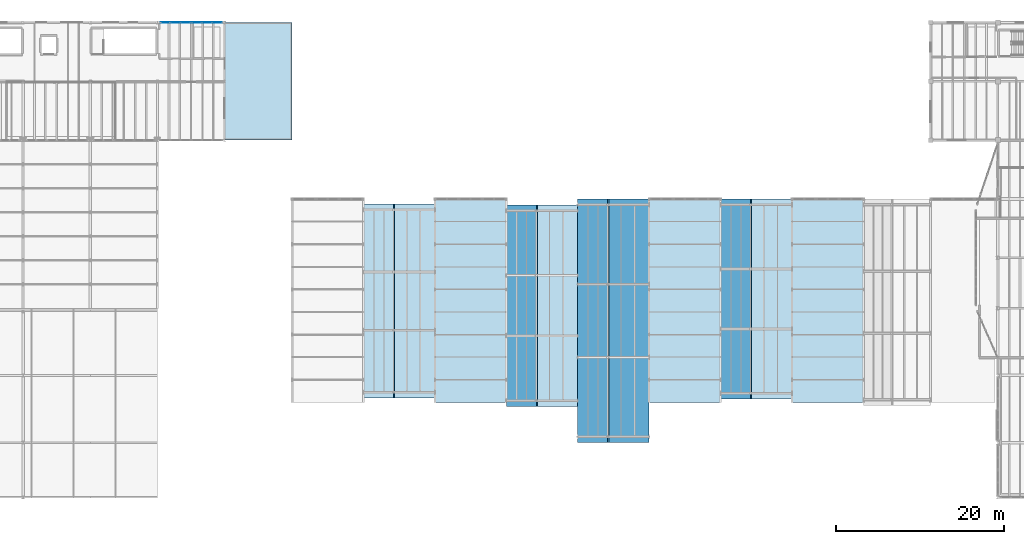
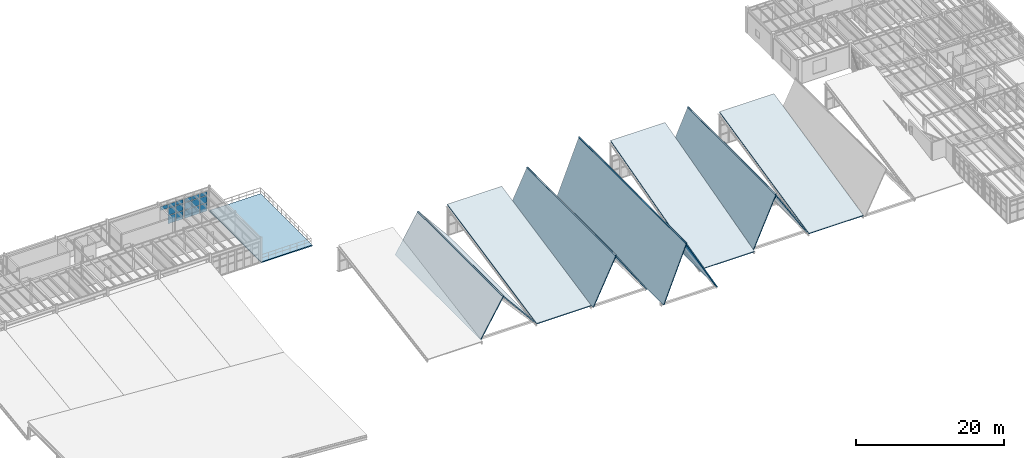
# One storey, part 49 of 77: 16 plates, 12 slabs, 9 elements without a shape of their own.
"""IFC4 building model written with IfcOpenShell, lengths in metres."""

from ifc_helpers import new_model, si_unit, direction, frame, origin, origin_2d, place, context, subcontext, project, spatial, polyline, rectangle, outline, extrude, material, layer, layer_set, type_object, element, aggregate, save


model = new_model("IFC4")

# Units and contexts
model_context = context("Model", 3, precision=1e-05, world=origin(), true_north=direction((0.0, 1.0)))
body_context = subcontext(model_context, "Body", "Model", "MODEL_VIEW")
ifc_project = project(units=[si_unit("LENGTHUNIT", "METRE"), si_unit("AREAUNIT", "SQUARE_METRE"), si_unit("VOLUMEUNIT", "CUBIC_METRE"), si_unit("PLANEANGLEUNIT", "RADIAN"), si_unit("MASSUNIT", "GRAM", prefix="KILO"), si_unit("THERMODYNAMICTEMPERATUREUNIT", "KELVIN"), si_unit("POWERUNIT", "WATT")], contexts=[model_context])

# Site, building, storey
site_placement = place(None, origin())
site = spatial("IfcSite", under=ifc_project, at=site_placement, CompositionType="ELEMENT")
building_placement = place(site_placement, origin())
building = spatial("IfcBuilding", under=site, at=building_placement, Name="Zhenchuan Central Fire Station", CompositionType="ELEMENT")
storey_placement = place(building_placement, frame((0.0, 0.0, 10.050048828125)))
storey = spatial("IfcBuildingStorey", under=building, at=storey_placement, Name="L03", CompositionType="ELEMENT", Elevation=10.050048828125)

# Curtain wall, plates
ifc_material_1 = material(Name="Anodised aluminium and low-E glazing", Category="aluminium")
curtain_wall_type_1 = type_object("IfcCurtainWallType", Name="CW-MOD-01", PredefinedType="USERDEFINED", material=ifc_material_1)
curtain_wall_1_placement = place(storey_placement, origin())
curtain_wall_1 = element("IfcCurtainWall", 1, at=curtain_wall_1_placement, inside=storey, type_object=curtain_wall_type_1, Name="L03 Unitised Curtain Wall 068", ObjectType="UNITISED GLAZING", PredefinedType="USERDEFINED")
ifc_material_2 = material(Name="Laminated low-E double glazing", Category="glass")
ifc_layer_1 = layer(ifc_material_2, 0.011962890625, Name="Laminated low-E double glazing", Category="glass")
ifc_layer_set_1 = layer_set([ifc_layer_1], Name="Laminated low-E double glazing")
plate_type = type_object("IfcPlateType", Name="CW-PNL12", PredefinedType="CURTAIN_PANEL", material=ifc_layer_set_1)
plate_1_placement = place(storey_placement, frame((40.926513671875, 56.5, 2.6640625), z_axis=(0.0, 0.0, 1.0), x_axis=(1.0, 0.0, 0.0)))
plate_1 = element("IfcPlate", 2, at=plate_1_placement, type_object=plate_type, Name="CW-01 panel 1.3", PredefinedType="CURTAIN_PANEL", context=body_context, shape_type="SweptSolid", body=[
    extrude(rectangle(XDim=1.123046875, YDim=0.011962890625, at=origin_2d()), origin(), (0.0, 0.0, 1.0), 0.644775390625),
])
plate_2_placement = place(storey_placement, frame((42.131103515625, 56.5, 0.06103515625), z_axis=(0.0, 0.0, 1.0), x_axis=(1.0, 0.0, 0.0)))
plate_2 = element("IfcPlate", 3, at=plate_2_placement, type_object=plate_type, Name="CW-01 panel 2.1", PredefinedType="CURTAIN_PANEL", context=body_context, shape_type="SweptSolid", body=[
    extrude(rectangle(XDim=1.15576171875, YDim=0.011962890625, at=origin_2d()), origin(), (0.0, 0.0, 1.0), 1.323486328125),
])
plate_3_placement = place(storey_placement, frame((42.131103515625, 56.5, 1.44970703125), z_axis=(0.0, 0.0, 1.0), x_axis=(1.0, 0.0, 0.0)))
plate_3 = element("IfcPlate", 4, at=plate_3_placement, type_object=plate_type, Name="CW-01 panel 2.2", PredefinedType="CURTAIN_PANEL", context=body_context, shape_type="SweptSolid", body=[
    extrude(rectangle(XDim=1.15576171875, YDim=0.011962890625, at=origin_2d()), origin(), (0.0, 0.0, 1.0), 1.149658203125),
])
plate_4_placement = place(storey_placement, frame((42.131103515625, 56.5, 2.6640625), z_axis=(0.0, 0.0, 1.0), x_axis=(1.0, 0.0, 0.0)))
plate_4 = element("IfcPlate", 5, at=plate_4_placement, type_object=plate_type, Name="CW-01 panel 2.3", PredefinedType="CURTAIN_PANEL", context=body_context, shape_type="SweptSolid", body=[
    extrude(rectangle(XDim=1.15576171875, YDim=0.011962890625, at=origin_2d()), origin(), (0.0, 0.0, 1.0), 0.644775390625),
])
plate_5_placement = place(storey_placement, frame((43.33544921875, 56.5, 0.06103515625), z_axis=(0.0, 0.0, 1.0), x_axis=(1.0, 0.0, 0.0)))
plate_5 = element("IfcPlate", 6, at=plate_5_placement, type_object=plate_type, Name="CW-01 panel 3.1", PredefinedType="CURTAIN_PANEL", context=body_context, shape_type="SweptSolid", body=[
    extrude(rectangle(XDim=1.123046875, YDim=0.011962890625, at=origin_2d()), origin(), (0.0, 0.0, 1.0), 1.323486328125),
])
plate_6_placement = place(storey_placement, frame((43.33544921875, 56.5, 1.44970703125), z_axis=(0.0, 0.0, 1.0), x_axis=(1.0, 0.0, 0.0)))
plate_6 = element("IfcPlate", 7, at=plate_6_placement, type_object=plate_type, Name="CW-01 panel 3.2", PredefinedType="CURTAIN_PANEL", context=body_context, shape_type="SweptSolid", body=[
    extrude(rectangle(XDim=1.123046875, YDim=0.011962890625, at=origin_2d()), origin(), (0.0, 0.0, 1.0), 1.149658203125),
])
plate_7_placement = place(storey_placement, frame((43.33544921875, 56.5, 2.6640625), z_axis=(0.0, 0.0, 1.0), x_axis=(1.0, 0.0, 0.0)))
plate_7 = element("IfcPlate", 8, at=plate_7_placement, type_object=plate_type, Name="CW-01 panel 3.3", PredefinedType="CURTAIN_PANEL", context=body_context, shape_type="SweptSolid", body=[
    extrude(rectangle(XDim=1.123046875, YDim=0.011962890625, at=origin_2d()), origin(), (0.0, 0.0, 1.0), 0.644775390625),
])
aggregate(curtain_wall_1, [plate_1, plate_2, plate_3, plate_4, plate_5, plate_6, plate_7])

curtain_wall_type_2 = type_object("IfcCurtainWallType", Name="CW-MOD-02", PredefinedType="USERDEFINED", material=ifc_material_1)
curtain_wall_2_placement = place(storey_placement, origin())
curtain_wall_2 = element("IfcCurtainWall", 9, at=curtain_wall_2_placement, inside=storey, type_object=curtain_wall_type_2, Name="L03 Unitised Curtain Wall 069", ObjectType="UNITISED GLAZING", PredefinedType="USERDEFINED")
plate_8_placement = place(storey_placement, frame((44.66455078125, 56.5, 0.06103515625), z_axis=(0.0, 0.0, 1.0), x_axis=(1.0, 0.0, 0.0)))
plate_8 = element("IfcPlate", 10, at=plate_8_placement, type_object=plate_type, Name="CW-02 panel 1.1", PredefinedType="CURTAIN_PANEL", context=body_context, shape_type="SweptSolid", body=[
    extrude(rectangle(XDim=1.123046875, YDim=0.011962890625, at=origin_2d()), origin(), (0.0, 0.0, 1.0), 1.323486328125),
])
plate_9_placement = place(storey_placement, frame((44.66455078125, 56.5, 1.44970703125), z_axis=(0.0, 0.0, 1.0), x_axis=(1.0, 0.0, 0.0)))
plate_9 = element("IfcPlate", 11, at=plate_9_placement, type_object=plate_type, Name="CW-02 panel 1.2", PredefinedType="CURTAIN_PANEL", context=body_context, shape_type="SweptSolid", body=[
    extrude(rectangle(XDim=1.123046875, YDim=0.011962890625, at=origin_2d()), origin(), (0.0, 0.0, 1.0), 1.149658203125),
])
plate_10_placement = place(storey_placement, frame((44.66455078125, 56.5, 2.6640625), z_axis=(0.0, 0.0, 1.0), x_axis=(1.0, 0.0, 0.0)))
plate_10 = element("IfcPlate", 12, at=plate_10_placement, type_object=plate_type, Name="CW-02 panel 1.3", PredefinedType="CURTAIN_PANEL", context=body_context, shape_type="SweptSolid", body=[
    extrude(rectangle(XDim=1.123046875, YDim=0.011962890625, at=origin_2d()), origin(), (0.0, 0.0, 1.0), 0.644775390625),
])
plate_11_placement = place(storey_placement, frame((45.868896484375, 56.5, 0.06103515625), z_axis=(0.0, 0.0, 1.0), x_axis=(1.0, 0.0, 0.0)))
plate_11 = element("IfcPlate", 13, at=plate_11_placement, type_object=plate_type, Name="CW-02 panel 2.1", PredefinedType="CURTAIN_PANEL", context=body_context, shape_type="SweptSolid", body=[
    extrude(rectangle(XDim=1.15576171875, YDim=0.011962890625, at=origin_2d()), origin(), (0.0, 0.0, 1.0), 1.323486328125),
])
plate_12_placement = place(storey_placement, frame((45.868896484375, 56.5, 1.44970703125), z_axis=(0.0, 0.0, 1.0), x_axis=(1.0, 0.0, 0.0)))
plate_12 = element("IfcPlate", 14, at=plate_12_placement, type_object=plate_type, Name="CW-02 panel 2.2", PredefinedType="CURTAIN_PANEL", context=body_context, shape_type="SweptSolid", body=[
    extrude(rectangle(XDim=1.15576171875, YDim=0.011962890625, at=origin_2d()), origin(), (0.0, 0.0, 1.0), 1.149658203125),
])
plate_13_placement = place(storey_placement, frame((45.868896484375, 56.5, 2.6640625), z_axis=(0.0, 0.0, 1.0), x_axis=(1.0, 0.0, 0.0)))
plate_13 = element("IfcPlate", 15, at=plate_13_placement, type_object=plate_type, Name="CW-02 panel 2.3", PredefinedType="CURTAIN_PANEL", context=body_context, shape_type="SweptSolid", body=[
    extrude(rectangle(XDim=1.15576171875, YDim=0.011962890625, at=origin_2d()), origin(), (0.0, 0.0, 1.0), 0.644775390625),
])
plate_14_placement = place(storey_placement, frame((47.073486328125, 56.5, 0.06103515625), z_axis=(0.0, 0.0, 1.0), x_axis=(1.0, 0.0, 0.0)))
plate_14 = element("IfcPlate", 16, at=plate_14_placement, type_object=plate_type, Name="CW-02 panel 3.1", PredefinedType="CURTAIN_PANEL", context=body_context, shape_type="SweptSolid", body=[
    extrude(rectangle(XDim=1.123046875, YDim=0.011962890625, at=origin_2d()), origin(), (0.0, 0.0, 1.0), 1.323486328125),
])
plate_15_placement = place(storey_placement, frame((47.073486328125, 56.5, 1.44970703125), z_axis=(0.0, 0.0, 1.0), x_axis=(1.0, 0.0, 0.0)))
plate_15 = element("IfcPlate", 17, at=plate_15_placement, type_object=plate_type, Name="CW-02 panel 3.2", PredefinedType="CURTAIN_PANEL", context=body_context, shape_type="SweptSolid", body=[
    extrude(rectangle(XDim=1.123046875, YDim=0.011962890625, at=origin_2d()), origin(), (0.0, 0.0, 1.0), 1.149658203125),
])
plate_16_placement = place(storey_placement, frame((47.073486328125, 56.5, 2.6640625), z_axis=(0.0, 0.0, 1.0), x_axis=(1.0, 0.0, 0.0)))
plate_16 = element("IfcPlate", 18, at=plate_16_placement, type_object=plate_type, Name="CW-02 panel 3.3", PredefinedType="CURTAIN_PANEL", context=body_context, shape_type="SweptSolid", body=[
    extrude(rectangle(XDim=1.123046875, YDim=0.011962890625, at=origin_2d()), origin(), (0.0, 0.0, 1.0), 0.644775390625),
])
aggregate(curtain_wall_2, [plate_8, plate_9, plate_10, plate_11, plate_12, plate_13, plate_14, plate_15, plate_16])

# Slab
ifc_material_3 = material(Name="Concrete C35/45", Category="concrete")
ifc_layer_2 = layer(ifc_material_3, 0.179931640625, Name="Concrete C35/45", Category="concrete")
ifc_layer_set_2 = layer_set([ifc_layer_2], Name="Concrete C35/45")
slab_type_1 = type_object("IfcSlabType", Name="SL-EXT180", PredefinedType="FLOOR", material=ifc_layer_set_2)
slab_1_placement = place(storey_placement, frame((0.0, 0.0, -0.179931640625)))
element("IfcSlab", 19, at=slab_1_placement, inside=storey, type_object=slab_type_1, Name="L03 Crew Recovery Terrace Slab", PredefinedType="FLOOR", context=body_context, shape_type="SweptSolid", body=[
    extrude(outline(polyline([(48.00390625, 42.5), (55.97509765625, 42.5), (55.97509765625, 56.5), (48.00390625, 56.5), (48.00390625, 42.5)])), origin(), (0.0, 0.0, 1.0), 0.179931640625),
])

# Roof, slabs
ifc_material_4 = material(Name="Standing-seam aluminium roofing", Category="aluminium")
roof_type = type_object("IfcRoofType", Name="RF-SAW", PredefinedType="SHED_ROOF", material=ifc_material_4)
roof_1_placement = place(storey_placement, origin())
roof_1 = element("IfcRoof", 20, at=roof_1_placement, inside=storey, type_object=roof_type, Name="Pavilion H02 Gable Roof Assembly", PredefinedType="SHED_ROOF")
ifc_layer_3 = layer(ifc_material_3, 0.14990234375, Name="Concrete C35/45", Category="concrete")
ifc_layer_set_3 = layer_set([ifc_layer_3], Name="Concrete C35/45")
slab_type_2 = type_object("IfcSlabType", Name="SL-RF150", PredefinedType="ROOF", material=ifc_layer_set_3)
slab_2_placement = place(storey_placement, frame((64.5, 11.800048828125, 0.0), z_axis=(-0.859378499817, 0.0, 0.511339998487), x_axis=(0.511339998487, 0.0, 0.859378499817)))
slab_2 = element("IfcSlab", 21, at=slab_2_placement, type_object=slab_type_2, Name="Pavilion H02 Gable Roof Slope W", PredefinedType="ROOF", context=body_context, shape_type="SweptSolid", body=[
    extrude(outline(polyline([(0.0, 0.0), (6.981789748381893, 0.0), (6.981789748381893, 23.099853515625), (0.0, 23.099853515625), (0.0, 0.0)])), origin(), (0.0, 0.0, -1.0), 0.14990234375),
])
slab_3_placement = place(storey_placement, frame((68.070068359375, 11.800048828125, 6.0), z_axis=(0.772640335436, 0.0, 0.634844006081), x_axis=(0.634844006081, 0.0, -0.772640335436)))
slab_3 = element("IfcSlab", 22, at=slab_3_placement, type_object=slab_type_2, Name="Pavilion H02 Gable Roof Slope E", PredefinedType="ROOF", context=body_context, shape_type="SweptSolid", body=[
    extrude(outline(polyline([(0.0, 0.0), (7.765579565057299, 0.0), (7.765579565057299, 23.099853515625), (0.0, 23.099853515625), (0.0, 0.0)])), origin(), (0.0, 0.0, -1.0), 0.14990234375),
])
aggregate(roof_1, [slab_2, slab_3])

# Roof, slab
roof_2_placement = place(storey_placement, origin())
roof_2 = element("IfcRoof", 23, at=roof_2_placement, inside=storey, type_object=roof_type, Name="Pavilion H03 Sawtooth Roof Assembly", PredefinedType="SHED_ROOF")
slab_4_placement = place(storey_placement, frame((73.0, 11.300048828125, 0.0), z_axis=(0.0, -0.202338357407, 0.979315673888), x_axis=(1.0, 0.0, 0.0)))
slab_4 = element("IfcSlab", 24, at=slab_4_placement, type_object=slab_type_2, Name="Pavilion H03 Sawtooth Roof Slab", PredefinedType="ROOF", context=body_context, shape_type="SweptSolid", body=[
    extrude(outline(polyline([(0.0, 0.0), (8.5, 0.0), (8.5, 24.711083276965706), (0.0, 24.711083276965706), (0.0, 0.0)])), origin(), (0.0, 0.0, -1.0), 0.14990234375),
])
aggregate(roof_2, [slab_4])

# Roof, slabs
roof_3_placement = place(storey_placement, origin())
roof_3 = element("IfcRoof", 25, at=roof_3_placement, inside=storey, type_object=roof_type, Name="Pavilion H04 Gable Roof Assembly", PredefinedType="SHED_ROOF")
slab_5_placement = place(storey_placement, frame((81.5, 10.800048828125, 0.0), z_axis=(-0.90066112627, 0.0, 0.434522192328), x_axis=(0.434522192328, 0.0, 0.90066112627)))
slab_5 = element("IfcSlab", 26, at=slab_5_placement, type_object=slab_type_2, Name="Pavilion H04 Gable Roof Slope W", PredefinedType="ROOF", context=body_context, shape_type="SweptSolid", body=[
    extrude(outline(polyline([(0.0, 0.0), (8.216078309488491, 0.0), (8.216078309488491, 24.000000000000007), (0.0, 24.000000000000007), (0.0, 0.0)])), origin(), (0.0, 0.0, -1.0), 0.14990234375),
])
slab_6_placement = place(storey_placement, frame((85.070068359375, 10.800048828125, 7.39990234375), z_axis=(0.832223444459, 0.0, 0.554440383173), x_axis=(0.554440383173, 0.0, -0.832223444459)))
slab_6 = element("IfcSlab", 27, at=slab_6_placement, type_object=slab_type_2, Name="Pavilion H04 Gable Roof Slope E", PredefinedType="ROOF", context=body_context, shape_type="SweptSolid", body=[
    extrude(outline(polyline([(0.0, 0.0), (8.891725405019674, 0.0), (8.891725405019674, 24.0), (0.0, 24.0), (0.0, 0.0)])), origin(), (0.0, 0.0, -1.0), 0.14990234375),
])
aggregate(roof_3, [slab_5, slab_6])

roof_4_placement = place(storey_placement, origin())
roof_4 = element("IfcRoof", 28, at=roof_4_placement, inside=storey, type_object=roof_type, Name="Pavilion H05 Gable Roof Assembly", PredefinedType="SHED_ROOF")
slab_7_placement = place(storey_placement, frame((90.0, 6.5, 0.0), z_axis=(-0.929538867099, 0.0, 0.368724144249), x_axis=(0.368724144249, 0.0, 0.929538867099)))
slab_7 = element("IfcSlab", 29, at=slab_7_placement, type_object=slab_type_2, Name="Pavilion H05 Gable Roof Slope W", PredefinedType="ROOF", context=body_context, shape_type="SweptSolid", body=[
    extrude(outline(polyline([(0.0, 0.0), (9.682220204612706, 0.0), (9.682220204612706, 29.0), (0.0, 29.0), (0.0, 0.0)])), origin(), (0.0, 0.0, -1.0), 0.14990234375),
])
slab_8_placement = place(storey_placement, frame((93.570068359375, 6.5, 9.0), z_axis=(0.877040420451, 0.0, 0.480416590987), x_axis=(0.480416590987, 0.0, -0.877040420451)))
slab_8 = element("IfcSlab", 30, at=slab_8_placement, type_object=slab_type_2, Name="Pavilion H05 Gable Roof Slope E", PredefinedType="ROOF", context=body_context, shape_type="SweptSolid", body=[
    extrude(outline(polyline([(0.0, 0.0), (10.261784736644767, 0.0), (10.261784736644767, 29.0), (0.0, 29.0), (0.0, 0.0)])), origin(), (0.0, 0.0, -1.0), 0.14990234375),
])
aggregate(roof_4, [slab_7, slab_8])

# Roof, slab
roof_5_placement = place(storey_placement, origin())
roof_5 = element("IfcRoof", 31, at=roof_5_placement, inside=storey, type_object=roof_type, Name="Pavilion H06 Sawtooth Roof Assembly", PredefinedType="SHED_ROOF")
slab_9_placement = place(storey_placement, frame((98.5, 11.300048828125, 0.0), z_axis=(0.0, -0.263112464414, 0.964765168873), x_axis=(1.0, 0.0, 0.0)))
slab_9 = element("IfcSlab", 32, at=slab_9_placement, type_object=slab_type_2, Name="Pavilion H06 Sawtooth Roof Slab", PredefinedType="ROOF", context=body_context, shape_type="SweptSolid", body=[
    extrude(outline(polyline([(0.0, 0.0), (8.5, 0.0), (8.5, 25.083773702312854), (0.0, 25.083773702312854), (0.0, 0.0)])), origin(), (0.0, 0.0, -1.0), 0.14990234375),
])
aggregate(roof_5, [slab_9])

# Roof, slabs
roof_6_placement = place(storey_placement, origin())
roof_6 = element("IfcRoof", 33, at=roof_6_placement, inside=storey, type_object=roof_type, Name="Pavilion H07 Gable Roof Assembly", PredefinedType="SHED_ROOF")
slab_10_placement = place(storey_placement, frame((107.0, 11.699951171875, 0.0), z_axis=(-0.913195670244, 0.0, 0.407521371032), x_axis=(0.407521371032, 0.0, 0.913195670244)))
slab_10 = element("IfcSlab", 34, at=slab_10_placement, type_object=slab_type_2, Name="Pavilion H07 Gable Roof Slope W", PredefinedType="ROOF", context=body_context, shape_type="SweptSolid", body=[
    extrude(outline(polyline([(0.0, 0.0), (8.760444514441632, 0.0), (8.760444514441632, 23.800048828125), (0.0, 23.800048828125), (0.0, 0.0)])), origin(), (0.0, 0.0, -1.0), 0.14990234375),
])
slab_11_placement = place(storey_placement, frame((110.570068359375, 11.699951171875, 8.0), z_axis=(0.851332558473, 0.0, 0.524626414589), x_axis=(0.524626414589, 0.0, -0.851332558473)))
slab_11 = element("IfcSlab", 35, at=slab_11_placement, type_object=slab_type_2, Name="Pavilion H07 Gable Roof Slope E", PredefinedType="ROOF", context=body_context, shape_type="SweptSolid", body=[
    extrude(outline(polyline([(0.0, 0.0), (9.397032828570703, 0.0), (9.397032828570703, 23.800048828125), (0.0, 23.800048828125), (0.0, 0.0)])), origin(), (0.0, 0.0, -1.0), 0.14990234375),
])
aggregate(roof_6, [slab_10, slab_11])

# Roof, slab
roof_7_placement = place(storey_placement, origin())
roof_7 = element("IfcRoof", 36, at=roof_7_placement, inside=storey, type_object=roof_type, Name="Pavilion H08 Sawtooth Roof Assembly", PredefinedType="SHED_ROOF")
slab_12_placement = place(storey_placement, frame((115.5, 11.300048828125, 0.0), z_axis=(0.0, -0.217781098243, 0.975997639981), x_axis=(1.0, 0.0, 0.0)))
slab_12 = element("IfcSlab", 37, at=slab_12_placement, type_object=slab_type_2, Name="Pavilion H08 Sawtooth Roof Slab", PredefinedType="ROOF", context=body_context, shape_type="SweptSolid", body=[
    extrude(outline(polyline([(0.0, 0.0), (8.5, 0.0), (8.5, 24.795091894227188), (0.0, 24.795091894227188), (0.0, 0.0)])), origin(), (0.0, 0.0, -1.0), 0.14990234375),
])
aggregate(roof_7, [slab_12])

save(model, "model.ifc")
